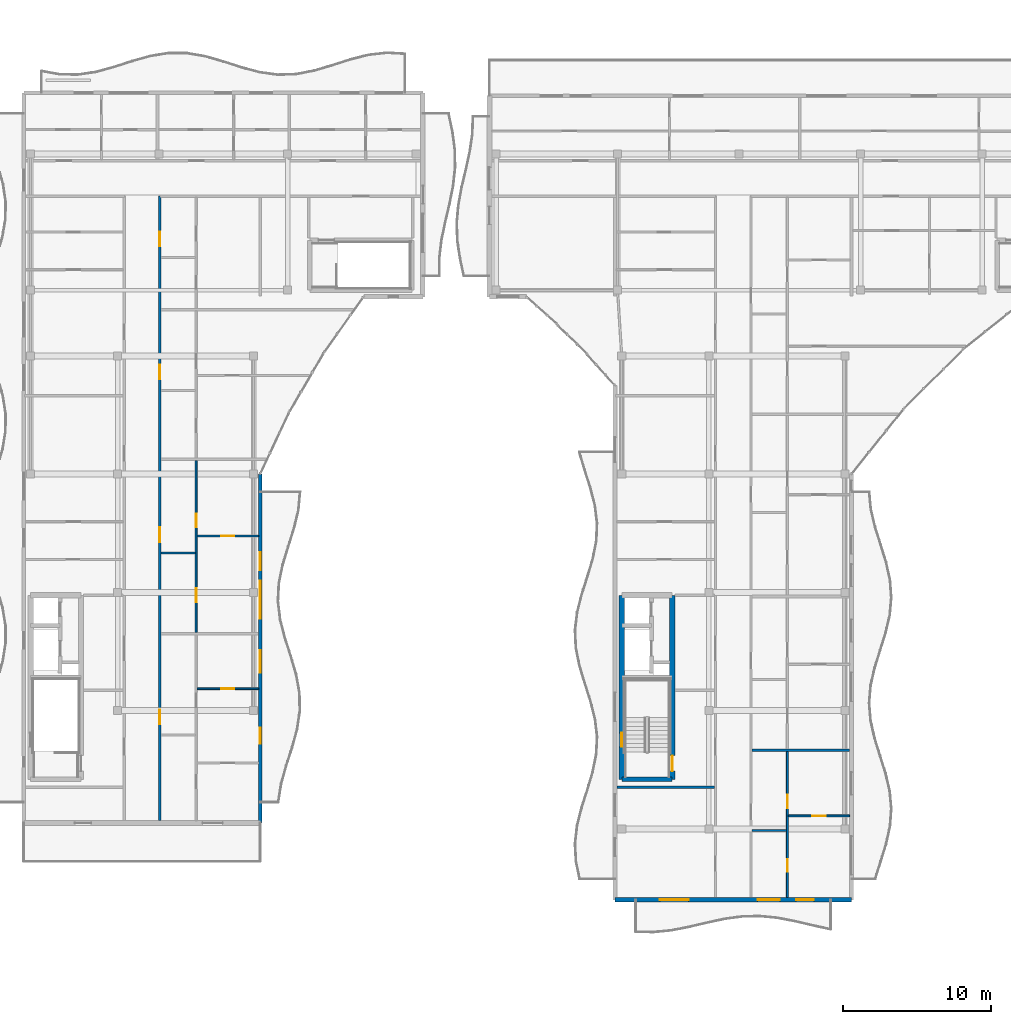
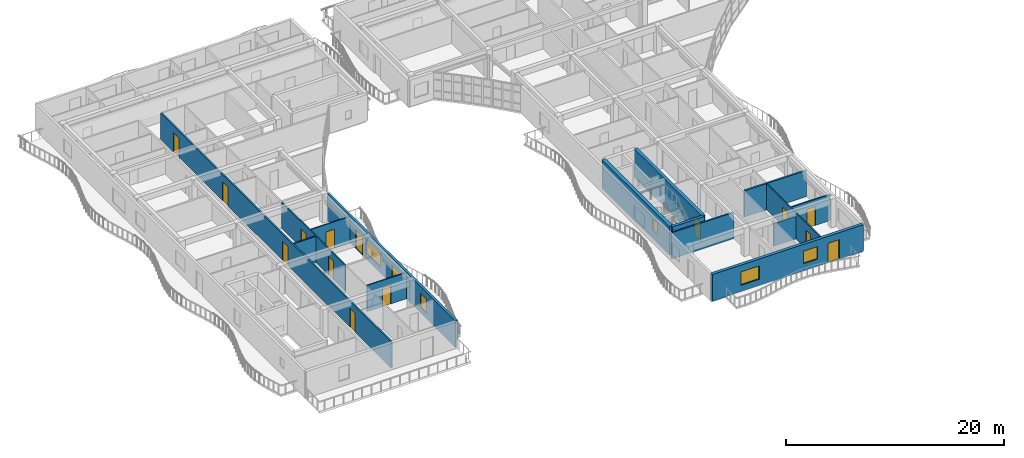
# One storey, part 29 of 68: 15 walls, 14 doors, 6 windows, 20 openings.
"""IFC4 building model written with IfcOpenShell, lengths in metres."""

from ifc_helpers import new_model, si_unit, direction, frame, frame_2d, origin, place, context, subcontext, project, spatial, rectangle, extrude, material, layer, layer_set, type_object, element, fill, save


model = new_model("IFC4")

# Units and contexts
model_context = context("Model", 3, precision=1e-05, world=origin(), true_north=direction((0.0, 1.0)))
body_context = subcontext(model_context, "Body", "Model", "MODEL_VIEW")
ifc_project = project(units=[si_unit("LENGTHUNIT", "METRE"), si_unit("AREAUNIT", "SQUARE_METRE"), si_unit("VOLUMEUNIT", "CUBIC_METRE"), si_unit("PLANEANGLEUNIT", "RADIAN"), si_unit("MASSUNIT", "GRAM", prefix="KILO")], contexts=[model_context])

# Site, building, storey
site_placement = place(None, origin())
site = spatial("IfcSite", under=ifc_project, at=site_placement, CompositionType="ELEMENT")
building_placement = place(site_placement, origin())
building = spatial("IfcBuilding", under=site, at=building_placement, Name="Keldmere Railside Commons", CompositionType="ELEMENT")
storey_placement = place(building_placement, frame((0.0, 0.0, 23.360107421875)))
storey = spatial("IfcBuildingStorey", under=building, at=storey_placement, Name="L07", CompositionType="ELEMENT", Elevation=23.360107421875)

# Wall
ifc_material_1 = material(Name="Acoustic Gypsum Board Partition", Category="gypsum")
ifc_layer_1 = layer(ifc_material_1, 0.179931640625, Name="Acoustic Demising Partition 180")
ifc_layer_set_1 = layer_set([ifc_layer_1], Name="Acoustic Gypsum Board Partition")
wall_type_1 = type_object("IfcWallType", Name="Acoustic Demising Partition 180", PredefinedType="PARTITIONING", material=ifc_layer_set_1)
wall_1_placement = place(storey_placement, frame((57.280029296875, 69.31005859375, 0.0), z_axis=(0.0, 0.0, 1.0), x_axis=(1.0, 0.0, 0.0)))
element("IfcWall", 1, at=wall_1_placement, inside=storey, type_object=wall_type_1, Name="IW-1 IW-L07-0781", PredefinedType="PARTITIONING", context=body_context, shape_type="SweptSolid", body=[
    extrude(rectangle(XDim=6.590087890625, YDim=0.179931640625, at=frame_2d((3.294921875, 0.0))), origin(), (0.0, 0.0, 1.0), 2.934814453125),
])

# Wall, opening, door
ifc_layer_2 = layer(ifc_material_1, 0.1201171875, Name="Apartment Interior Partition 120")
ifc_layer_set_2 = layer_set([ifc_layer_2], Name="Acoustic Gypsum Board Partition")
wall_type_2 = type_object("IfcWallType", Name="Apartment Interior Partition 120", PredefinedType="PARTITIONING", material=ifc_layer_set_2)
wall_2_placement = place(storey_placement, frame((19.719970703125, 73.47998046875, 0.0), z_axis=(0.0, 0.0, 1.0), x_axis=(1.0, 0.0, 0.0)))
wall_2 = element("IfcWall", 2, at=wall_2_placement, inside=storey, type_object=wall_type_2, Name="IW-4 IW-L07-0458", PredefinedType="PARTITIONING", context=body_context, shape_type="SweptSolid", body=[
    extrude(rectangle(XDim=4.159912109375, YDim=0.1201171875, at=frame_2d((2.080078125, 0.0))), origin(), (0.0, 0.0, 1.0), 2.934814453125),
])
opening_1_placement = place(wall_2_placement, frame((1.639892578125, 0.0, 0.0)))
opening_1 = element("IfcOpeningElement", 3, at=opening_1_placement, cuts=wall_2, Name="Opening ID-02", PredefinedType="OPENING", context=body_context, shape_type="SweptSolid", body=[
    extrude(rectangle(XDim=0.8798828125, YDim=2.10009765625, at=frame_2d((0.43994140625, 1.050048828125))), frame((0.0, 0.070068359375, 0.0), z_axis=(0.0, -1.0, 0.0), x_axis=(1.0, 0.0, 0.0)), (0.0, 0.0, 1.0), 0.14013671875),
])
ifc_material_2 = material(Name="Engineered Oak Timber", Category="wood")
door_type_1 = type_object("IfcDoorType", Name="Secondary Bedroom Door 880x2100", OperationType="NOTDEFINED", PredefinedType="DOOR", material=ifc_material_2)
door_1_placement = place(opening_1_placement, origin())
door_1 = element("IfcDoor", 4, at=door_1_placement, inside=storey, type_object=door_type_1, Name="ID-02 IDR-L07-0353", OperationType="SINGLE_SWING_LEFT", OverallHeight=2.10009765625, OverallWidth=0.8798828125, PredefinedType="DOOR", context=body_context, shape_type="SweptSolid", body=[
    extrude(rectangle(XDim=0.8798828125, YDim=2.10009765625, at=frame_2d((0.43994140625, 1.050048828125))), frame((0.0, 0.02490234375, 0.0), z_axis=(0.0, -1.0, 0.0), x_axis=(1.0, 0.0, 0.0)), (0.0, 0.0, 1.0), 0.050048828125),
])
fill(opening_1, door_1)

# Wall, openings, doors
wall_3_placement = place(storey_placement, frame((19.659912109375, 77.300048828125, 0.0), z_axis=(0.0, 0.0, 1.0), x_axis=(0.0, 1.0, 0.0)))
wall_3 = element("IfcWall", 5, at=wall_3_placement, inside=storey, type_object=wall_type_2, Name="IW-4 IW-L07-0459", PredefinedType="PARTITIONING", context=body_context, shape_type="SweptSolid", body=[
    extrude(rectangle(XDim=11.619873046875, YDim=0.1201171875, at=frame_2d((5.81005859375, 0.0))), origin(), (0.0, 0.0, 1.0), 2.934814453125),
])
opening_2_placement = place(wall_3_placement, frame((2.032958984375, 0.0, 0.0)))
opening_2 = element("IfcOpeningElement", 6, at=opening_2_placement, cuts=wall_3, Name="Opening ID-05", PredefinedType="OPENING", context=body_context, shape_type="SweptSolid", body=[
    extrude(rectangle(XDim=0.93994140625, YDim=2.10009765625, at=frame_2d((0.469970703125, 1.050048828125))), frame((0.0, 0.070068359375, 0.0), z_axis=(0.0, -1.0, 0.0), x_axis=(1.0, 0.0, 0.0)), (0.0, 0.0, 1.0), 0.14013671875),
])
opening_3_placement = place(wall_3_placement, frame((7.105712890625, 0.0, 0.0)))
opening_3 = element("IfcOpeningElement", 7, at=opening_3_placement, cuts=wall_3, Name="Opening ID-03", PredefinedType="OPENING", context=body_context, shape_type="SweptSolid", body=[
    extrude(rectangle(XDim=0.919921875, YDim=2.10009765625, at=frame_2d((0.4599609375, 1.050048828125))), frame((0.0, 0.070068359375, 0.0), z_axis=(0.0, -1.0, 0.0), x_axis=(1.0, 0.0, 0.0)), (0.0, 0.0, 1.0), 0.14013671875),
])
door_type_2 = type_object("IfcDoorType", Name="Accessible Bathroom Door 940x2100", OperationType="NOTDEFINED", PredefinedType="DOOR", material=ifc_material_2)
door_2_placement = place(opening_2_placement, origin())
door_2 = element("IfcDoor", 8, at=door_2_placement, inside=storey, type_object=door_type_2, Name="ID-05 IDR-L07-0354", OperationType="SINGLE_SWING_RIGHT", OverallHeight=2.10009765625, OverallWidth=0.93994140625, PredefinedType="DOOR", context=body_context, shape_type="SweptSolid", body=[
    extrude(rectangle(XDim=0.93994140625, YDim=2.10009765625, at=frame_2d((0.469970703125, 1.050048828125))), frame((0.0, 0.02490234375, 0.0), z_axis=(0.0, -1.0, 0.0), x_axis=(1.0, 0.0, 0.0)), (0.0, 0.0, 1.0), 0.050048828125),
])
fill(opening_2, door_2)
door_type_3 = type_object("IfcDoorType", Name="Kitchen Pocket-Frame Swing Door 920x2100", OperationType="NOTDEFINED", PredefinedType="DOOR", material=ifc_material_2)
door_3_placement = place(opening_3_placement, origin())
door_3 = element("IfcDoor", 9, at=door_3_placement, inside=storey, type_object=door_type_3, Name="ID-03 IDR-L07-0355", OperationType="SINGLE_SWING_LEFT", OverallHeight=2.10009765625, OverallWidth=0.919921875, PredefinedType="DOOR", context=body_context, shape_type="SweptSolid", body=[
    extrude(rectangle(XDim=0.919921875, YDim=2.10009765625, at=frame_2d((0.4599609375, 1.050048828125))), frame((0.0, 0.02490234375, 0.0), z_axis=(0.0, -1.0, 0.0), x_axis=(1.0, 0.0, 0.0)), (0.0, 0.0, 1.0), 0.050048828125),
])
fill(opening_3, door_3)

# Wall, opening, door
wall_4_placement = place(storey_placement, frame((19.719970703125, 83.81005859375, 0.0), z_axis=(0.0, 0.0, 1.0), x_axis=(1.0, 0.0, 0.0)))
wall_4 = element("IfcWall", 10, at=wall_4_placement, inside=storey, type_object=wall_type_2, Name="IW-4 IW-L07-0461", PredefinedType="PARTITIONING", context=body_context, shape_type="SweptSolid", body=[
    extrude(rectangle(XDim=4.159912109375, YDim=0.1201171875, at=frame_2d((2.080078125, 0.0))), origin(), (0.0, 0.0, 1.0), 2.934814453125),
])
opening_4_placement = place(wall_4_placement, frame((1.6298828125, 0.0, 0.0)))
opening_4 = element("IfcOpeningElement", 11, at=opening_4_placement, cuts=wall_4, Name="Opening ID-01", PredefinedType="OPENING", context=body_context, shape_type="SweptSolid", body=[
    extrude(rectangle(XDim=0.89990234375, YDim=2.10009765625, at=frame_2d((0.449951171875, 1.050048828125))), frame((0.0, 0.070068359375, 0.0), z_axis=(0.0, -1.0, 0.0), x_axis=(1.0, 0.0, 0.0)), (0.0, 0.0, 1.0), 0.14013671875),
])
door_type_4 = type_object("IfcDoorType", Name="Primary Bedroom Door 900x2100", OperationType="NOTDEFINED", PredefinedType="DOOR", material=ifc_material_2)
door_4_placement = place(opening_4_placement, origin())
door_4 = element("IfcDoor", 12, at=door_4_placement, inside=storey, type_object=door_type_4, Name="ID-01 IDR-L07-0357", OperationType="SINGLE_SWING_LEFT", OverallHeight=2.10009765625, OverallWidth=0.89990234375, PredefinedType="DOOR", context=body_context, shape_type="SweptSolid", body=[
    extrude(rectangle(XDim=0.89990234375, YDim=2.10009765625, at=frame_2d((0.449951171875, 1.050048828125))), frame((0.0, 0.02490234375, 0.0), z_axis=(0.0, -1.0, 0.0), x_axis=(1.0, 0.0, 0.0)), (0.0, 0.0, 1.0), 0.050048828125),
])
fill(opening_4, door_4)

# Wall, openings, doors
wall_5_placement = place(storey_placement, frame((59.659912109375, 59.360107421875, 0.0), z_axis=(0.0, 0.0, 1.0), x_axis=(0.0, 1.0, 0.0)))
wall_5 = element("IfcWall", 13, at=wall_5_placement, inside=storey, type_object=wall_type_2, Name="IW-4 IW-L07-0784", PredefinedType="PARTITIONING", context=body_context, shape_type="SweptSolid", body=[
    extrude(rectangle(XDim=9.85986328125, YDim=0.1201171875, at=frame_2d((4.929931640625, 0.0))), origin(), (0.0, 0.0, 1.0), 2.934814453125),
])
opening_5_placement = place(wall_5_placement, frame((1.72509765625, 0.0, 0.0)))
opening_5 = element("IfcOpeningElement", 14, at=opening_5_placement, cuts=wall_5, Name="Opening ID-04", PredefinedType="OPENING", context=body_context, shape_type="SweptSolid", body=[
    extrude(rectangle(XDim=0.860107421875, YDim=2.10009765625, at=frame_2d((0.43017578125, 1.050048828125))), frame((0.0, 0.070068359375, 0.0), z_axis=(0.0, -1.0, 0.0), x_axis=(1.0, 0.0, 0.0)), (0.0, 0.0, 1.0), 0.14013671875),
])
opening_6_placement = place(wall_5_placement, frame((6.029541015625, 0.0, 0.0)))
opening_6 = element("IfcOpeningElement", 15, at=opening_6_placement, cuts=wall_5, Name="Opening ID-03", PredefinedType="OPENING", context=body_context, shape_type="SweptSolid", body=[
    extrude(rectangle(XDim=0.919921875, YDim=2.10009765625, at=frame_2d((0.4599609375, 1.050048828125))), frame((0.0, 0.070068359375, 0.0), z_axis=(0.0, -1.0, 0.0), x_axis=(1.0, 0.0, 0.0)), (0.0, 0.0, 1.0), 0.14013671875),
])
door_type_5 = type_object("IfcDoorType", Name="Apartment Bathroom Door 860x2100", OperationType="NOTDEFINED", PredefinedType="DOOR", material=ifc_material_2)
door_5_placement = place(opening_5_placement, origin())
door_5 = element("IfcDoor", 16, at=door_5_placement, inside=storey, type_object=door_type_5, Name="ID-04 IDR-L07-0663", OperationType="SINGLE_SWING_LEFT", OverallHeight=2.10009765625, OverallWidth=0.860107421875, PredefinedType="DOOR", context=body_context, shape_type="SweptSolid", body=[
    extrude(rectangle(XDim=0.860107421875, YDim=2.10009765625, at=frame_2d((0.43017578125, 1.050048828125))), frame((0.0, 0.02490234375, 0.0), z_axis=(0.0, -1.0, 0.0), x_axis=(1.0, 0.0, 0.0)), (0.0, 0.0, 1.0), 0.050048828125),
])
fill(opening_5, door_5)
door_6_placement = place(opening_6_placement, origin())
door_6 = element("IfcDoor", 17, at=door_6_placement, inside=storey, type_object=door_type_3, Name="ID-03 IDR-L07-0664", OperationType="SINGLE_SWING_RIGHT", OverallHeight=2.10009765625, OverallWidth=0.919921875, PredefinedType="DOOR", context=body_context, shape_type="SweptSolid", body=[
    extrude(rectangle(XDim=0.919921875, YDim=2.10009765625, at=frame_2d((0.4599609375, 1.050048828125))), frame((0.0, 0.02490234375, 0.0), z_axis=(0.0, -1.0, 0.0), x_axis=(1.0, 0.0, 0.0)), (0.0, 0.0, 1.0), 0.050048828125),
])
fill(opening_6, door_6)

# Wall, opening, door
wall_6_placement = place(storey_placement, frame((59.719970703125, 64.8798828125, 0.0), z_axis=(0.0, 0.0, 1.0), x_axis=(1.0, 0.0, 0.0)))
wall_6 = element("IfcWall", 18, at=wall_6_placement, inside=storey, type_object=wall_type_2, Name="IW-4 IW-L07-0786", PredefinedType="PARTITIONING", context=body_context, shape_type="SweptSolid", body=[
    extrude(rectangle(XDim=4.150146484375, YDim=0.1201171875, at=frame_2d((2.0751953125, 0.0))), origin(), (0.0, 0.0, 1.0), 2.934814453125),
])
opening_7_placement = place(wall_6_placement, frame((1.625, 0.0, 0.0)))
opening_7 = element("IfcOpeningElement", 19, at=opening_7_placement, cuts=wall_6, Name="Opening ID-01", PredefinedType="OPENING", context=body_context, shape_type="SweptSolid", body=[
    extrude(rectangle(XDim=0.89990234375, YDim=2.10009765625, at=frame_2d((0.449951171875, 1.050048828125))), frame((0.0, 0.070068359375, 0.0), z_axis=(0.0, -1.0, 0.0), x_axis=(1.0, 0.0, 0.0)), (0.0, 0.0, 1.0), 0.14013671875),
])
door_7_placement = place(opening_7_placement, origin())
door_7 = element("IfcDoor", 20, at=door_7_placement, inside=storey, type_object=door_type_4, Name="ID-01 IDR-L07-0666", OperationType="SINGLE_SWING_RIGHT", OverallHeight=2.10009765625, OverallWidth=0.89990234375, PredefinedType="DOOR", context=body_context, shape_type="SweptSolid", body=[
    extrude(rectangle(XDim=0.89990234375, YDim=2.10009765625, at=frame_2d((0.449951171875, 1.050048828125))), frame((0.0, 0.02490234375, 0.0), z_axis=(0.0, -1.0, 0.0), x_axis=(1.0, 0.0, 0.0)), (0.0, 0.0, 1.0), 0.050048828125),
])
fill(opening_7, door_7)

# Wall, opening, window
ifc_material_3 = material(Name="Concrete H-40 (C40/50)", Category="concrete")
ifc_layer_3 = layer(ifc_material_3, 0.3798828125, Name="Core Shear Wall 380")
ifc_layer_set_3 = layer_set([ifc_layer_3], Name="Concrete H-40 (C40/50)")
wall_type_3 = type_object("IfcWallType", Name="Core Shear Wall 380", PredefinedType="SHEAR", material=ifc_layer_set_3)
wall_7_placement = place(storey_placement, frame((48.4599609375, 67.35009765625, 0.0), z_axis=(0.0, 0.0, 1.0), x_axis=(0.0, 1.0, 0.0)))
wall_7 = element("IfcWall", 21, at=wall_7_placement, inside=storey, type_object=wall_type_3, Name="CW-CORE CORECW-L07-0282", PredefinedType="SHEAR", context=body_context, shape_type="SweptSolid", body=[
    extrude(rectangle(XDim=12.449951171875, YDim=0.3798828125, at=frame_2d((6.22509765625, 0.0))), origin(), (0.0, 0.0, 1.0), 3.199951171875),
])
opening_8_placement = place(wall_7_placement, frame((2.199951171875, 0.0, 0.969970703125)))
opening_8 = element("IfcOpeningElement", 22, at=opening_8_placement, cuts=wall_7, Name="Opening WN-17", PredefinedType="OPENING", context=body_context, shape_type="SweptSolid", body=[
    extrude(rectangle(XDim=0.949951171875, YDim=1.25, at=frame_2d((0.47509765625, 0.625))), frame((0.0, 0.199951171875, 0.0), z_axis=(0.0, -1.0, 0.0), x_axis=(1.0, 0.0, 0.0)), (0.0, 0.0, 1.0), 0.39990234375),
])
ifc_material_4 = material(Name="Low-E Insulated Double Glazing", Category="glass")
window_type_1 = type_object("IfcWindowType", Name="Stair Core Natural Smoke-Vent Window 950x1250", PartitioningType="SINGLE_PANEL", PredefinedType="WINDOW", material=ifc_material_4)
window_1_placement = place(opening_8_placement, origin())
window_1 = element("IfcWindow", 23, at=window_1_placement, inside=storey, type_object=window_type_1, Name="WN-17 WIN-L07-0153", OverallHeight=1.25, OverallWidth=0.949951171875, PartitioningType="SINGLE_PANEL", PredefinedType="WINDOW", context=body_context, shape_type="SweptSolid", body=[
    extrude(rectangle(XDim=0.949951171875, YDim=1.25, at=frame_2d((0.47509765625, 0.625))), frame((0.0, 0.030029296875, 0.0), z_axis=(0.0, -1.0, 0.0), x_axis=(1.0, 0.0, 0.0)), (0.0, 0.0, 1.0), 0.06005859375),
])
fill(opening_8, window_1)

# Wall, openings, doors
ifc_layer_4 = layer(ifc_material_1, 0.159912109375, Name="Corridor Fire Partition 160")
ifc_layer_set_4 = layer_set([ifc_layer_4], Name="Acoustic Gypsum Board Partition")
wall_type_4 = type_object("IfcWallType", Name="Corridor Fire Partition 160", PredefinedType="PARTITIONING", material=ifc_layer_set_4)
wall_8_placement = place(storey_placement, frame((17.199951171875, 64.56005859375, 0.0), z_axis=(0.0, 0.0, 1.0), x_axis=(0.0, 1.0, 0.0)))
wall_8 = element("IfcWall", 24, at=wall_8_placement, inside=storey, type_object=wall_type_4, Name="IW-2 IW-L07-0445", PredefinedType="PARTITIONING", context=body_context, shape_type="SweptSolid", body=[
    extrude(rectangle(XDim=42.239990234375, YDim=0.159912109375, at=frame_2d((21.1201171875, 0.0))), origin(), (0.0, 0.0, 1.0), 2.934814453125),
])
opening_9_placement = place(wall_8_placement, frame((6.530029296875, 0.0, 0.0)))
opening_9 = element("IfcOpeningElement", 25, at=opening_9_placement, cuts=wall_8, Name="Opening FD-7", PredefinedType="OPENING", context=body_context, shape_type="SweptSolid", body=[
    extrude(rectangle(XDim=0.97998046875, YDim=2.14990234375, at=frame_2d((0.489990234375, 1.074951171875))), frame((0.0, 0.08984375, 0.0), z_axis=(0.0, -1.0, 0.0), x_axis=(1.0, 0.0, 0.0)), (0.0, 0.0, 1.0), 0.179931640625),
])
opening_10_placement = place(wall_8_placement, frame((18.840087890625, 0.0, 0.0)))
opening_10 = element("IfcOpeningElement", 26, at=opening_10_placement, cuts=wall_8, Name="Opening FD-8", PredefinedType="OPENING", context=body_context, shape_type="SweptSolid", body=[
    extrude(rectangle(XDim=1.02001953125, YDim=2.14990234375, at=frame_2d((0.510009765625, 1.074951171875))), frame((0.0, 0.08984375, 0.0), z_axis=(0.0, -1.0, 0.0), x_axis=(1.0, 0.0, 0.0)), (0.0, 0.0, 1.0), 0.179931640625),
])
opening_11_placement = place(wall_8_placement, frame((29.860107421875, 0.0, 0.0)))
opening_11 = element("IfcOpeningElement", 27, at=opening_11_placement, cuts=wall_8, Name="Opening FD-7", PredefinedType="OPENING", context=body_context, shape_type="SweptSolid", body=[
    extrude(rectangle(XDim=0.97998046875, YDim=2.14990234375, at=frame_2d((0.489990234375, 1.074951171875))), frame((0.0, 0.08984375, 0.0), z_axis=(0.0, -1.0, 0.0), x_axis=(1.0, 0.0, 0.0)), (0.0, 0.0, 1.0), 0.179931640625),
])
opening_12_placement = place(wall_8_placement, frame((38.860107421875, 0.0, 0.0)))
opening_12 = element("IfcOpeningElement", 28, at=opening_12_placement, cuts=wall_8, Name="Opening FD-7", PredefinedType="OPENING", context=body_context, shape_type="SweptSolid", body=[
    extrude(rectangle(XDim=0.97998046875, YDim=2.14990234375, at=frame_2d((0.489990234375, 1.074951171875))), frame((0.0, 0.08984375, 0.0), z_axis=(0.0, -1.0, 0.0), x_axis=(1.0, 0.0, 0.0)), (0.0, 0.0, 1.0), 0.179931640625),
])
door_type_6 = type_object("IfcDoorType", Name="Adaptable Apartment Entrance Fire Door 1020x2150", OperationType="NOTDEFINED", PredefinedType="DOOR", material=ifc_material_2)
door_8_placement = place(opening_10_placement, origin())
door_8 = element("IfcDoor", 29, at=door_8_placement, inside=storey, type_object=door_type_6, Name="FD-8 IDR-L07-0356", OperationType="SINGLE_SWING_RIGHT", OverallHeight=2.14990234375, OverallWidth=1.02001953125, PredefinedType="DOOR", context=body_context, shape_type="SweptSolid", body=[
    extrude(rectangle(XDim=1.02001953125, YDim=2.14990234375, at=frame_2d((0.510009765625, 1.074951171875))), frame((0.0, 0.02490234375, 0.0), z_axis=(0.0, -1.0, 0.0), x_axis=(1.0, 0.0, 0.0)), (0.0, 0.0, 1.0), 0.050048828125),
])
fill(opening_10, door_8)
door_type_7 = type_object("IfcDoorType", Name="Apartment Entrance Acoustic Fire Door 980x2150", OperationType="NOTDEFINED", PredefinedType="DOOR", material=ifc_material_2)
door_9_placement = place(opening_9_placement, origin())
door_9 = element("IfcDoor", 30, at=door_9_placement, inside=storey, type_object=door_type_7, Name="FD-7 IDR-L07-0351", OperationType="SINGLE_SWING_LEFT", OverallHeight=2.14990234375, OverallWidth=0.97998046875, PredefinedType="DOOR", context=body_context, shape_type="SweptSolid", body=[
    extrude(rectangle(XDim=0.97998046875, YDim=2.14990234375, at=frame_2d((0.489990234375, 1.074951171875))), frame((0.0, 0.02490234375, 0.0), z_axis=(0.0, -1.0, 0.0), x_axis=(1.0, 0.0, 0.0)), (0.0, 0.0, 1.0), 0.050048828125),
])
fill(opening_9, door_9)
door_10_placement = place(opening_11_placement, origin())
door_10 = element("IfcDoor", 31, at=door_10_placement, inside=storey, type_object=door_type_7, Name="FD-7 IDR-L07-0360", OperationType="SINGLE_SWING_RIGHT", OverallHeight=2.14990234375, OverallWidth=0.97998046875, PredefinedType="DOOR", context=body_context, shape_type="SweptSolid", body=[
    extrude(rectangle(XDim=0.97998046875, YDim=2.14990234375, at=frame_2d((0.489990234375, 1.074951171875))), frame((0.0, 0.02490234375, 0.0), z_axis=(0.0, -1.0, 0.0), x_axis=(1.0, 0.0, 0.0)), (0.0, 0.0, 1.0), 0.050048828125),
])
fill(opening_11, door_10)
door_11_placement = place(opening_12_placement, origin())
door_11 = element("IfcDoor", 32, at=door_11_placement, inside=storey, type_object=door_type_7, Name="FD-7 IDR-L07-0364", OperationType="SINGLE_SWING_RIGHT", OverallHeight=2.14990234375, OverallWidth=0.97998046875, PredefinedType="DOOR", context=body_context, shape_type="SweptSolid", body=[
    extrude(rectangle(XDim=0.97998046875, YDim=2.14990234375, at=frame_2d((0.489990234375, 1.074951171875))), frame((0.0, 0.02490234375, 0.0), z_axis=(0.0, -1.0, 0.0), x_axis=(1.0, 0.0, 0.0)), (0.0, 0.0, 1.0), 0.050048828125),
])
fill(opening_12, door_11)

# Wall, openings, windows, door
ifc_material_5 = material(Name="Concrete H-35 (C35/45)", Category="concrete")
ifc_layer_5 = layer(ifc_material_5, 0.320068359375, Name="Exterior Shear Wall 320")
ifc_layer_set_5 = layer_set([ifc_layer_5], Name="Concrete H-35 (C35/45)")
wall_type_5 = type_object("IfcWallType", Name="Exterior Shear Wall 320", PredefinedType="SHEAR", material=ifc_layer_set_5)
wall_9_placement = place(storey_placement, frame((64.0, 59.199951171875, 0.0), z_axis=(0.0, 0.0, 1.0), x_axis=(-1.0, 0.0, 0.0)))
wall_9 = element("IfcWall", 33, at=wall_9_placement, inside=storey, type_object=wall_type_5, Name="ESW-2 EXTC-L07-0380", PredefinedType="SHEAR", context=body_context, shape_type="SweptSolid", body=[
    extrude(rectangle(XDim=16.0, YDim=0.320068359375, at=frame_2d((8.0, 0.0))), origin(), (0.0, 0.0, 1.0), 2.97998046875),
])
opening_13_placement = place(wall_9_placement, frame((2.550048828125, 0.0, 0.0)))
opening_13 = element("IfcOpeningElement", 34, at=opening_13_placement, cuts=wall_9, Name="Opening BD-01", PredefinedType="OPENING", context=body_context, shape_type="SweptSolid", body=[
    extrude(rectangle(XDim=1.199951171875, YDim=2.199951171875, at=frame_2d((0.60009765625, 1.10009765625))), frame((0.0, 0.169921875, 0.0), z_axis=(0.0, -1.0, 0.0), x_axis=(1.0, 0.0, 0.0)), (0.0, 0.0, 1.0), 0.340087890625),
])
opening_14_placement = place(wall_9_placement, frame((4.85009765625, 0.0, 0.820068359375)))
opening_14 = element("IfcOpeningElement", 35, at=opening_14_placement, cuts=wall_9, Name="Opening WN-06", PredefinedType="OPENING", context=body_context, shape_type="SweptSolid", body=[
    extrude(rectangle(XDim=1.5, YDim=1.39990234375, at=frame_2d((0.75, 0.699951171875))), frame((0.0, 0.169921875, 0.0), z_axis=(0.0, -1.0, 0.0), x_axis=(1.0, 0.0, 0.0)), (0.0, 0.0, 1.0), 0.340087890625),
])
opening_15_placement = place(wall_9_placement, frame((11.02490234375, 0.0, 0.719970703125)))
opening_15 = element("IfcOpeningElement", 36, at=opening_15_placement, cuts=wall_9, Name="Opening WN-38", PredefinedType="OPENING", context=body_context, shape_type="SweptSolid", body=[
    extrude(rectangle(XDim=1.949951171875, YDim=1.5, at=frame_2d((0.97509765625, 0.75))), frame((0.0, 0.169921875, 0.0), z_axis=(0.0, -1.0, 0.0), x_axis=(1.0, 0.0, 0.0)), (0.0, 0.0, 1.0), 0.340087890625),
])
window_type_2 = type_object("IfcWindowType", Name="Adaptable Apartment Wide Window 1950x1500", PartitioningType="SINGLE_PANEL", PredefinedType="WINDOW", material=ifc_material_4)
window_2_placement = place(opening_15_placement, origin())
window_2 = element("IfcWindow", 37, at=window_2_placement, inside=storey, type_object=window_type_2, Name="WN-38 WIN-L07-0289", OverallHeight=1.5, OverallWidth=1.949951171875, PartitioningType="SINGLE_PANEL", PredefinedType="WINDOW", context=body_context, shape_type="SweptSolid", body=[
    extrude(rectangle(XDim=1.949951171875, YDim=1.5, at=frame_2d((0.97509765625, 0.75))), frame((0.0, 0.030029296875, 0.0), z_axis=(0.0, -1.0, 0.0), x_axis=(1.0, 0.0, 0.0)), (0.0, 0.0, 1.0), 0.06005859375),
])
fill(opening_15, window_2)
ifc_material_6 = material(Name="Thermally Broken Aluminium", Category="aluminium")
door_type_8 = type_object("IfcDoorType", Name="Apartment Living Wave-Balcony Glazed Door 1200x2200", OperationType="NOTDEFINED", PredefinedType="DOOR", material=ifc_material_6)
door_12_placement = place(opening_13_placement, origin())
door_12 = element("IfcDoor", 38, at=door_12_placement, inside=storey, type_object=door_type_8, Name="BD-01 DR-L07-0101", OperationType="SINGLE_SWING_LEFT", OverallHeight=2.199951171875, OverallWidth=1.199951171875, PredefinedType="DOOR", context=body_context, shape_type="SweptSolid", body=[
    extrude(rectangle(XDim=1.199951171875, YDim=2.199951171875, at=frame_2d((0.60009765625, 1.10009765625))), frame((0.0, 0.02490234375, 0.0), z_axis=(0.0, -1.0, 0.0), x_axis=(1.0, 0.0, 0.0)), (0.0, 0.0, 1.0), 0.050048828125),
])
fill(opening_13, door_12)
window_type_3 = type_object("IfcWindowType", Name="Primary Bedroom North Window 1500x1400", PartitioningType="SINGLE_PANEL", PredefinedType="WINDOW", material=ifc_material_4)
window_3_placement = place(opening_14_placement, origin())
window_3 = element("IfcWindow", 39, at=window_3_placement, inside=storey, type_object=window_type_3, Name="WN-06 WIN-L07-0288", OverallHeight=1.39990234375, OverallWidth=1.5, PartitioningType="SINGLE_PANEL", PredefinedType="WINDOW", context=body_context, shape_type="SweptSolid", body=[
    extrude(rectangle(XDim=1.5, YDim=1.39990234375, at=frame_2d((0.75, 0.699951171875))), frame((0.0, 0.030029296875, 0.0), z_axis=(0.0, -1.0, 0.0), x_axis=(1.0, 0.0, 0.0)), (0.0, 0.0, 1.0), 0.06005859375),
])
fill(opening_14, window_3)

# Wall
ifc_layer_6 = layer(ifc_material_5, 0.300048828125, Name="Interior Shear Wall 300")
ifc_layer_set_6 = layer_set([ifc_layer_6], Name="Concrete H-35 (C35/45)")
wall_type_6 = type_object("IfcWallType", Name="Interior Shear Wall 300", PredefinedType="SHEAR", material=ifc_layer_set_6)
wall_10_placement = place(storey_placement, frame((51.8701171875, 67.35009765625, 0.0), z_axis=(0.0, 0.0, 1.0), x_axis=(-1.0, 0.0, 0.0)))
element("IfcWall", 40, at=wall_10_placement, inside=storey, type_object=wall_type_6, Name="ISW-2 CORECS-L07-0285", PredefinedType="SHEAR", context=body_context, shape_type="SweptSolid", body=[
    extrude(rectangle(XDim=3.41015625, YDim=0.300048828125, at=frame_2d((1.705078125, 0.0))), origin(), (0.0, 0.0, 1.0), 3.199951171875),
])

# Wall, opening, door
ifc_layer_7 = layer(ifc_material_5, 0.340087890625, Name="Interior Shear Wall 340")
ifc_layer_set_7 = layer_set([ifc_layer_7], Name="Concrete H-35 (C35/45)")
wall_type_7 = type_object("IfcWallType", Name="Interior Shear Wall 340", PredefinedType="SHEAR", material=ifc_layer_set_7)
wall_11_placement = place(storey_placement, frame((51.8701171875, 79.800048828125, 0.0), z_axis=(0.0, 0.0, 1.0), x_axis=(0.0, -1.0, 0.0)))
wall_11 = element("IfcWall", 41, at=wall_11_placement, inside=storey, type_object=wall_type_7, Name="ISW-1 CORECE-L07-0284", PredefinedType="SHEAR", context=body_context, shape_type="SweptSolid", body=[
    extrude(rectangle(XDim=12.449951171875, YDim=0.340087890625, at=frame_2d((6.22509765625, 0.0))), origin(), (0.0, 0.0, 1.0), 3.199951171875),
])
opening_16_placement = place(wall_11_placement, frame((10.85009765625, 0.0, 0.0)))
opening_16 = element("IfcOpeningElement", 42, at=opening_16_placement, cuts=wall_11, Name="Opening FD-1", PredefinedType="OPENING", context=body_context, shape_type="SweptSolid", body=[
    extrude(rectangle(XDim=1.050048828125, YDim=2.14990234375, at=frame_2d((0.52490234375, 1.074951171875))), frame((0.0, 0.179931640625, 0.0), z_axis=(0.0, -1.0, 0.0), x_axis=(1.0, 0.0, 0.0)), (0.0, 0.0, 1.0), 0.360107421875),
])
ifc_material_7 = material(Name="Steel F-24 (S235)", Category="steel")
door_type_9 = type_object("IfcDoorType", Name="Stair Core Fire Door 1050x2150", OperationType="NOTDEFINED", PredefinedType="DOOR", material=ifc_material_7)
door_13_placement = place(opening_16_placement, origin())
door_13 = element("IfcDoor", 43, at=door_13_placement, inside=storey, type_object=door_type_9, Name="FD-1 C1 L07", OperationType="SINGLE_SWING_LEFT", OverallHeight=2.14990234375, OverallWidth=1.050048828125, PredefinedType="DOOR", context=body_context, shape_type="SweptSolid", body=[
    extrude(rectangle(XDim=1.050048828125, YDim=2.14990234375, at=frame_2d((0.52490234375, 1.074951171875))), frame((0.0, 0.02490234375, 0.0), z_axis=(0.0, -1.0, 0.0), x_axis=(1.0, 0.0, 0.0)), (0.0, 0.0, 1.0), 0.050048828125),
])
fill(opening_16, door_13)

# Wall
ifc_layer_8 = layer(ifc_material_1, 0.14990234375, Name="Lobby Rated Partition 150")
ifc_layer_set_8 = layer_set([ifc_layer_8], Name="Acoustic Gypsum Board Partition")
wall_type_8 = type_object("IfcWallType", Name="Lobby Rated Partition 150", PredefinedType="PARTITIONING", material=ifc_layer_set_8)
wall_12_placement = place(storey_placement, frame((48.1298828125, 66.820068359375, 0.0), z_axis=(0.0, 0.0, 1.0), x_axis=(1.0, 0.0, 0.0)))
element("IfcWall", 44, at=wall_12_placement, inside=storey, type_object=wall_type_8, Name="IW-3 IW-L07-0769", PredefinedType="PARTITIONING", context=body_context, shape_type="SweptSolid", body=[
    extrude(rectangle(XDim=6.590087890625, YDim=0.14990234375, at=frame_2d((3.294921875, 0.0))), origin(), (0.0, 0.0, 1.0), 2.934814453125),
])

# Wall, openings, door, windows
ifc_material_8 = material(Name="Architectural Precast Concrete H-35 (C35/45)", Category="concrete")
ifc_layer_9 = layer(ifc_material_8, 0.239990234375, Name="Sand-Ochre Precast Cavity Wall 240")
ifc_layer_set_9 = layer_set([ifc_layer_9], Name="Architectural Precast Concrete H-35 (C35/45)")
wall_type_9 = type_object("IfcWallType", Name="Sand-Ochre Precast Cavity Wall 240", PredefinedType="SOLIDWALL", material=ifc_layer_set_9)
wall_13_placement = place(storey_placement, frame((24.0, 88.0, 0.0), z_axis=(0.0, 0.0, 1.0), x_axis=(0.0, -1.0, 0.0)))
wall_13 = element("IfcWall", 45, at=wall_13_placement, inside=storey, type_object=wall_type_9, Name="EW-2 EXTD-L07-0171", PredefinedType="SOLIDWALL", context=body_context, shape_type="SweptSolid", body=[
    extrude(rectangle(XDim=23.60009765625, YDim=0.239990234375, at=frame_2d((11.800048828125, 0.0))), origin(), (0.0, 0.0, 1.0), 2.97998046875),
])
opening_17_placement = place(wall_13_placement, frame((5.300048828125, 0.0, 0.0)))
opening_17 = element("IfcOpeningElement", 46, at=opening_17_placement, cuts=wall_13, Name="Opening BD-01", PredefinedType="OPENING", context=body_context, shape_type="SweptSolid", body=[
    extrude(rectangle(XDim=1.199951171875, YDim=2.199951171875, at=frame_2d((0.60009765625, 1.10009765625))), frame((0.0, 0.1298828125, 0.0), z_axis=(0.0, -1.0, 0.0), x_axis=(1.0, 0.0, 0.0)), (0.0, 0.0, 1.0), 0.260009765625),
])
opening_18_placement = place(wall_13_placement, frame((7.199951171875, 0.0, 0.669921875)))
opening_18 = element("IfcOpeningElement", 47, at=opening_18_placement, cuts=wall_13, Name="Opening WN-39", PredefinedType="OPENING", context=body_context, shape_type="SweptSolid", body=[
    extrude(rectangle(XDim=2.60009765625, YDim=1.550048828125, at=frame_2d((1.300048828125, 0.77490234375))), frame((0.0, 0.1298828125, 0.0), z_axis=(0.0, -1.0, 0.0), x_axis=(1.0, 0.0, 0.0)), (0.0, 0.0, 1.0), 0.260009765625),
])
opening_19_placement = place(wall_13_placement, frame((17.14990234375, 0.0, 0.6201171875)))
opening_19 = element("IfcOpeningElement", 48, at=opening_19_placement, cuts=wall_13, Name="Opening WN-16", PredefinedType="OPENING", context=body_context, shape_type="SweptSolid", body=[
    extrude(rectangle(XDim=1.10009765625, YDim=1.60009765625, at=frame_2d((0.550048828125, 0.800048828125))), frame((0.0, 0.1298828125, 0.0), z_axis=(0.0, -1.0, 0.0), x_axis=(1.0, 0.0, 0.0)), (0.0, 0.0, 1.0), 0.260009765625),
])
opening_20_placement = place(wall_13_placement, frame((11.925048828125, 0.0, 0.820068359375)))
opening_20 = element("IfcOpeningElement", 49, at=opening_20_placement, cuts=wall_13, Name="Opening WN-06", PredefinedType="OPENING", context=body_context, shape_type="SweptSolid", body=[
    extrude(rectangle(XDim=1.5, YDim=1.39990234375, at=frame_2d((0.75, 0.699951171875))), frame((0.0, 0.1298828125, 0.0), z_axis=(0.0, -1.0, 0.0), x_axis=(1.0, 0.0, 0.0)), (0.0, 0.0, 1.0), 0.260009765625),
])
door_14_placement = place(opening_17_placement, origin())
door_14 = element("IfcDoor", 50, at=door_14_placement, inside=storey, type_object=door_type_8, Name="BD-01 DR-L07-0043", OperationType="SINGLE_SWING_LEFT", OverallHeight=2.199951171875, OverallWidth=1.199951171875, PredefinedType="DOOR", context=body_context, shape_type="SweptSolid", body=[
    extrude(rectangle(XDim=1.199951171875, YDim=2.199951171875, at=frame_2d((0.60009765625, 1.10009765625))), frame((0.0, 0.02490234375, 0.0), z_axis=(0.0, -1.0, 0.0), x_axis=(1.0, 0.0, 0.0)), (0.0, 0.0, 1.0), 0.050048828125),
])
fill(opening_17, door_14)
window_type_4 = type_object("IfcWindowType", Name="Corridor End Daylight Window 1100x1600", PartitioningType="SINGLE_PANEL", PredefinedType="WINDOW", material=ifc_material_4)
window_4_placement = place(opening_19_placement, origin())
window_4 = element("IfcWindow", 51, at=window_4_placement, inside=storey, type_object=window_type_4, Name="WN-16 WIN-L07-0134", OverallHeight=1.60009765625, OverallWidth=1.10009765625, PartitioningType="SINGLE_PANEL", PredefinedType="WINDOW", context=body_context, shape_type="SweptSolid", body=[
    extrude(rectangle(XDim=1.10009765625, YDim=1.60009765625, at=frame_2d((0.550048828125, 0.800048828125))), frame((0.0, 0.030029296875, 0.0), z_axis=(0.0, -1.0, 0.0), x_axis=(1.0, 0.0, 0.0)), (0.0, 0.0, 1.0), 0.06005859375),
])
fill(opening_19, window_4)
window_5_placement = place(opening_20_placement, origin())
window_5 = element("IfcWindow", 52, at=window_5_placement, inside=storey, type_object=window_type_3, Name="WN-06 WIN-L07-9057", OverallHeight=1.39990234375, OverallWidth=1.5, PartitioningType="SINGLE_PANEL", PredefinedType="WINDOW", context=body_context, shape_type="SweptSolid", body=[
    extrude(rectangle(XDim=1.5, YDim=1.39990234375, at=frame_2d((0.75, 0.699951171875))), frame((0.0, 0.030029296875, 0.0), z_axis=(0.0, -1.0, 0.0), x_axis=(1.0, 0.0, 0.0)), (0.0, 0.0, 1.0), 0.06005859375),
])
fill(opening_20, window_5)
window_type_5 = type_object("IfcWindowType", Name="Three-Bed Corner Living Window 2600x1550", PartitioningType="SINGLE_PANEL", PredefinedType="WINDOW", material=ifc_material_4)
window_6_placement = place(opening_18_placement, origin())
window_6 = element("IfcWindow", 53, at=window_6_placement, inside=storey, type_object=window_type_5, Name="WN-39 WIN-L07-0133", OverallHeight=1.550048828125, OverallWidth=2.60009765625, PartitioningType="SINGLE_PANEL", PredefinedType="WINDOW", context=body_context, shape_type="SweptSolid", body=[
    extrude(rectangle(XDim=2.60009765625, YDim=1.550048828125, at=frame_2d((1.300048828125, 0.77490234375))), frame((0.0, 0.030029296875, 0.0), z_axis=(0.0, -1.0, 0.0), x_axis=(1.0, 0.0, 0.0)), (0.0, 0.0, 1.0), 0.06005859375),
])
fill(opening_18, window_6)

# Walls
ifc_layer_10 = layer(ifc_material_1, 0.139892578125, Name="Wet-Room Sanitary Partition 140")
ifc_layer_set_10 = layer_set([ifc_layer_10], Name="Acoustic Gypsum Board Partition")
wall_type_10 = type_object("IfcWallType", Name="Wet-Room Sanitary Partition 140", PredefinedType="PARTITIONING", material=ifc_layer_set_10)
wall_14_placement = place(storey_placement, frame((17.280029296875, 82.64990234375, 0.0), z_axis=(0.0, 0.0, 1.0), x_axis=(1.0, 0.0, 0.0)))
element("IfcWall", 54, at=wall_14_placement, inside=storey, type_object=wall_type_10, Name="IW-5 IW-L07-0460", PredefinedType="PARTITIONING", context=body_context, shape_type="SweptSolid", body=[
    extrude(rectangle(XDim=2.320068359375, YDim=0.139892578125, at=frame_2d((1.16015625, 0.0))), origin(), (0.0, 0.0, 1.0), 2.934814453125),
])
wall_15_placement = place(storey_placement, frame((57.280029296875, 63.89990234375, 0.0), z_axis=(0.0, 0.0, 1.0), x_axis=(1.0, 0.0, 0.0)))
element("IfcWall", 55, at=wall_15_placement, inside=storey, type_object=wall_type_10, Name="IW-5 IW-L07-0785", PredefinedType="PARTITIONING", context=body_context, shape_type="SweptSolid", body=[
    extrude(rectangle(XDim=2.320068359375, YDim=0.139892578125, at=frame_2d((1.16015625, 0.0))), origin(), (0.0, 0.0, 1.0), 2.52978515625),
])

save(model, "model.ifc")
